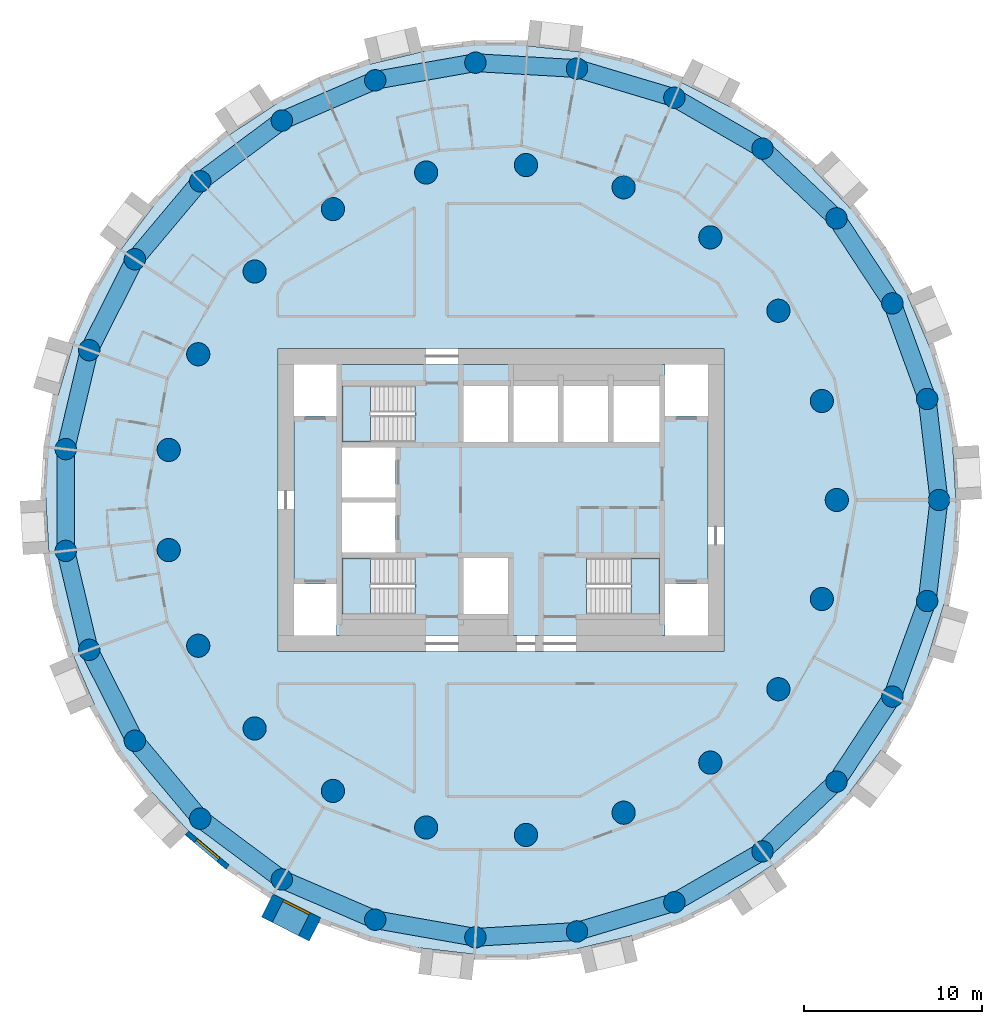
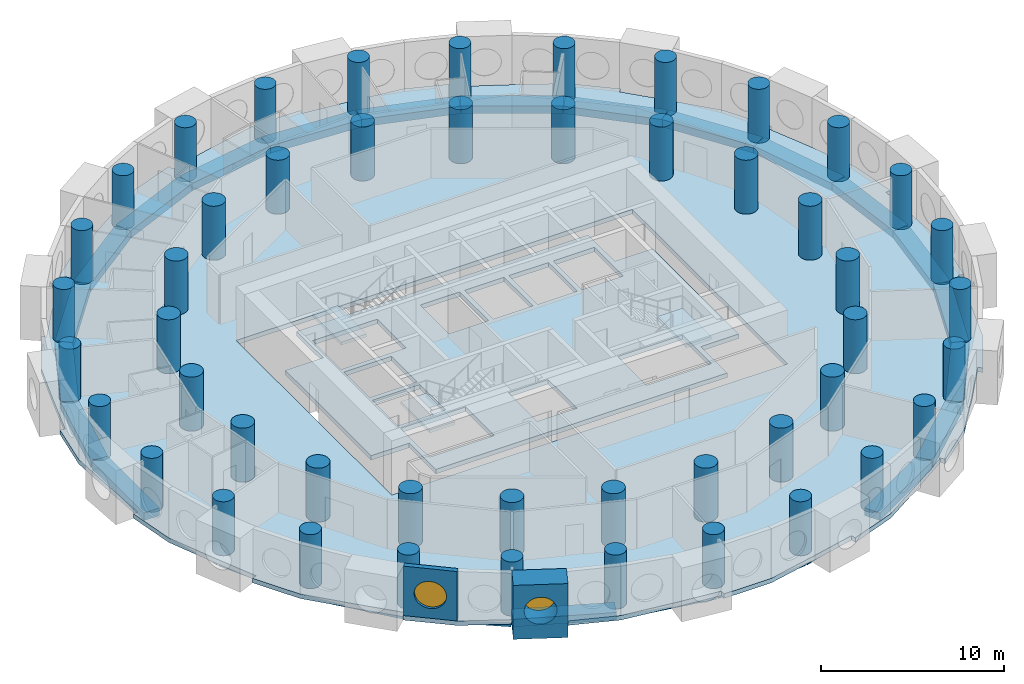
# One storey, part 1 of 10: 48 columns, 27 beams, 5 slabs, 2 walls, 2 windows, 2 openings, 3 elements without a shape of their own.
"""IFC4 building model written with IfcOpenShell, lengths in metres."""

from ifc_helpers import new_model, si_unit, direction, frame, frame_2d, origin, origin_2d, place, context, subcontext, project, spatial, polyline, rectangle, circle, outline, extrude, material, layer, layer_set, material_profile, profile_set, type_object, element, fill, aggregate, save


model = new_model("IFC4")

# Units and contexts
model_context = context("Model", 3, precision=1e-05, world=origin(), true_north=direction((0.0, 1.0)))
body_context = subcontext(model_context, "Body", "Model", "MODEL_VIEW")
ifc_project = project(units=[si_unit("LENGTHUNIT", "METRE"), si_unit("AREAUNIT", "SQUARE_METRE"), si_unit("VOLUMEUNIT", "CUBIC_METRE"), si_unit("PLANEANGLEUNIT", "RADIAN"), si_unit("MASSUNIT", "GRAM", prefix="KILO")], contexts=[model_context])

# Site, building, storey
site_placement = place(None, origin())
site = spatial("IfcSite", under=ifc_project, at=site_placement, CompositionType="ELEMENT")
building_placement = place(site_placement, origin())
building = spatial("IfcBuilding", under=site, at=building_placement, Name="Tracery Tower", CompositionType="ELEMENT")
storey_placement = place(building_placement, frame((0.0, 0.0, 144.0)))
storey = spatial("IfcBuildingStorey", under=building, at=storey_placement, Name="L36", CompositionType="ELEMENT", Elevation=144.0)

# Columns
ifc_material_1 = material(Name="Concrete C50/60", Category="concrete")
ifc_material_profile_1 = material_profile(ifc_material_1, circle(Radius=0.60009765625, at=origin_2d()), Name="RC D1200")
ifc_profile_set_1 = profile_set([ifc_material_profile_1], Name="Concrete C50/60")
column_type_1 = type_object("IfcColumnType", Name="Ring 1 column 1200", PredefinedType="COLUMN", material=ifc_profile_set_1)
for number, where, z_axis, x_axis, name in (
    (1, (24.547607421875, 0.0, 0.0), (0.0, 0.0, 1.0), (1.0, 0.0, 0.0), "Ring 1 column 00 at L36"),
    (2, (23.885986328125, 5.6611328125, 0.0), (0.0, 0.0, 1.0), (1.0, 0.0, 0.0), "Ring 1 column 01 at L36"),
    (3, (21.9365234375, 11.01708984375, 0.0), (0.0, 0.0, 1.0), (1.0, 0.0, 0.0), "Ring 1 column 02 at L36"),
    (4, (18.8046875, 15.779052734375, 0.0), (0.0, 0.0, 1.0), (1.0, 0.0, 0.0), "Ring 1 column 03 at L36"),
    (5, (14.658935546875, 19.690185546875, 0.0), (0.0, 0.0, 1.0), (1.0, 0.0, 0.0), "Ring 1 column 04 at L36"),
    (6, (9.722900390625, 22.5400390625, 0.0), (0.0, 0.0, 1.0), (1.0, 0.0, 0.0), "Ring 1 column 05 at L36"),
    (7, (4.2626953125, 24.1748046875, 0.0), (0.0, 0.0, 1.0), (1.0, 0.0, 0.0), "Ring 1 column 06 at L36"),
    (8, (-1.42724609375, 24.506103515625, 0.0), (0.0, 0.0, 1.0), (1.0, 0.0, 0.0), "Ring 1 column 07 at L36"),
    (9, (-7.040283203125, 23.516357421875, 0.0), (0.0, 0.0, 1.0), (1.0, 0.0, 0.0), "Ring 1 column 08 at L36"),
    (10, (-12.273681640625, 21.2587890625, 0.0), (0.0, 0.0, 1.0), (1.0, 0.0, 0.0), "Ring 1 column 09 at L36"),
    (11, (-16.845703125, 17.855224609375, 0.0), (0.0, 0.0, 1.0), (1.0, 0.0, 0.0), "Ring 1 column 10 at L36"),
    (12, (-20.50927734375, 13.4892578125, 0.0), (0.0, 0.0, 1.0), (1.0, 0.0, 0.0), "Ring 1 column 11 at L36"),
    (13, (-23.0673828125, 8.395751953125, 0.0), (0.0, 0.0, 1.0), (1.0, 0.0, 0.0), "Ring 1 column 12 at L36"),
    (14, (-24.381591796875, 2.849853515625, 0.0), (0.0, 0.0, 1.0), (1.0, 0.0, 0.0), "Ring 1 column 13 at L36"),
    (15, (-24.381591796875, -2.849853515625, 0.0), (0.0, 0.0, 1.0), (1.0, 0.0, 0.0), "Ring 1 column 14 at L36"),
    (16, (-23.0673828125, -8.395751953125, 0.0), (0.0, 0.0, 1.0), (1.0, 0.0, 0.0), "Ring 1 column 15 at L36"),
    (17, (-20.50927734375, -13.4892578125, 0.0), (0.0, 0.0, 1.0), (1.0, 0.0, 0.0), "Ring 1 column 16 at L36"),
    (18, (-16.845703125, -17.85546875, 0.0), (0.0, 0.0, 1.0), (1.0, 0.0, 0.0), "Ring 1 column 17 at L36"),
    (19, (-12.27392578125, -21.2587890625, 0.0), (0.0, 0.0, 1.0), (1.0, 0.0, 0.0), "Ring 1 column 18 at L36"),
    (20, (-7.040283203125, -23.516357421875, 0.0), (0.0, 0.0, 1.0), (1.0, 0.0, 0.0), "Ring 1 column 19 at L36"),
    (21, (-1.42724609375, -24.506103515625, 0.0), (0.0, 0.0, 1.0), (1.0, 0.0, 0.0), "Ring 1 column 20 at L36"),
    (22, (4.2626953125, -24.1748046875, 0.0), (0.0, 0.0, 1.0), (1.0, 0.0, 0.0), "Ring 1 column 21 at L36"),
    (23, (9.722900390625, -22.5400390625, 0.0), (0.0, 0.0, 1.0), (1.0, 0.0, 0.0), "Ring 1 column 22 at L36"),
    (24, (14.658935546875, -19.690185546875, 0.0), (0.0, 0.0, 1.0), (1.0, 0.0, 0.0), "Ring 1 column 23 at L36"),
    (25, (18.8046875, -15.779052734375, 0.0), (0.0, 0.0, 1.0), (1.0, 0.0, 0.0), "Ring 1 column 24 at L36"),
    (26, (21.9365234375, -11.01708984375, 0.0), (0.0, 0.0, 1.0), (1.0, 0.0, 0.0), "Ring 1 column 25 at L36"),
    (27, (23.885986328125, -5.6611328125, 0.0), (0.0, 0.0, 1.0), (1.0, 0.0, 0.0), "Ring 1 column 26 at L36"),
):
    element("IfcColumn", number, at=place(storey_placement, frame(where, z_axis=z_axis, x_axis=x_axis)), inside=storey, type_object=column_type_1, Name=name, PredefinedType="COLUMN", context=body_context, shape_type="SweptSolid", body=[
        extrude(circle(Radius=0.60009765625, at=origin_2d()), origin(), (0.0, 0.0, 1.0), 3.60009765625),
    ])
ifc_material_2 = material(Name="Concrete C50/60", Category="concrete")
ifc_material_profile_2 = material_profile(ifc_material_2, circle(Radius=0.64990234375, at=origin_2d()), Name="RC D1300")
ifc_profile_set_2 = profile_set([ifc_material_profile_2], Name="Concrete C50/60")
column_type_2 = type_object("IfcColumnType", Name="Ring 2 column 1300", PredefinedType="COLUMN", material=ifc_profile_set_2)
for number, where, z_axis, x_axis, name in (
    (28, (18.822265625, 0.0, 0.0), (0.0, 0.0, 1.0), (1.0, 0.0, 0.0), "Ring 2 column 00 at L36"),
    (29, (17.986083984375, 5.5478515625, 0.0), (0.0, 0.0, 1.0), (1.0, 0.0, 0.0), "Ring 2 column 01 at L36"),
    (30, (15.551513671875, 10.602783203125, 0.0), (0.0, 0.0, 1.0), (1.0, 0.0, 0.0), "Ring 2 column 02 at L36"),
    (31, (11.7353515625, 14.7158203125, 0.0), (0.0, 0.0, 1.0), (1.0, 0.0, 0.0), "Ring 2 column 03 at L36"),
    (32, (6.87646484375, 17.52099609375, 0.0), (0.0, 0.0, 1.0), (1.0, 0.0, 0.0), "Ring 2 column 04 at L36"),
    (33, (1.406494140625, 18.76953125, 0.0), (0.0, 0.0, 1.0), (1.0, 0.0, 0.0), "Ring 2 column 05 at L36"),
    (34, (-4.188232421875, 18.350341796875, 0.0), (0.0, 0.0, 1.0), (1.0, 0.0, 0.0), "Ring 2 column 06 at L36"),
    (35, (-9.4111328125, 16.300537109375, 0.0), (0.0, 0.0, 1.0), (1.0, 0.0, 0.0), "Ring 2 column 07 at L36"),
    (36, (-13.797607421875, 12.802490234375, 0.0), (0.0, 0.0, 1.0), (1.0, 0.0, 0.0), "Ring 2 column 08 at L36"),
    (37, (-16.958251953125, 8.16650390625, 0.0), (0.0, 0.0, 1.0), (1.0, 0.0, 0.0), "Ring 2 column 09 at L36"),
    (38, (-18.612060546875, 2.805419921875, 0.0), (0.0, 0.0, 1.0), (1.0, 0.0, 0.0), "Ring 2 column 10 at L36"),
    (39, (-18.612060546875, -2.805419921875, 0.0), (0.0, 0.0, 1.0), (1.0, 0.0, 0.0), "Ring 2 column 11 at L36"),
    (40, (-16.958251953125, -8.166748046875, 0.0), (0.0, 0.0, 1.0), (1.0, 0.0, 0.0), "Ring 2 column 12 at L36"),
    (41, (-13.797607421875, -12.80224609375, 0.0), (0.0, 0.0, 1.0), (1.0, 0.0, 0.0), "Ring 2 column 13 at L36"),
    (42, (-9.4111328125, -16.300537109375, 0.0), (0.0, 0.0, 1.0), (1.0, 0.0, 0.0), "Ring 2 column 14 at L36"),
    (43, (-4.188232421875, -18.350341796875, 0.0), (0.0, 0.0, 1.0), (1.0, 0.0, 0.0), "Ring 2 column 15 at L36"),
    (44, (1.406494140625, -18.76953125, 0.0), (0.0, 0.0, 1.0), (1.0, 0.0, 0.0), "Ring 2 column 16 at L36"),
    (45, (6.87646484375, -17.52099609375, 0.0), (0.0, 0.0, 1.0), (1.0, 0.0, 0.0), "Ring 2 column 17 at L36"),
    (46, (11.7353515625, -14.7158203125, 0.0), (0.0, 0.0, 1.0), (1.0, 0.0, 0.0), "Ring 2 column 18 at L36"),
    (47, (15.551513671875, -10.602783203125, 0.0), (0.0, 0.0, 1.0), (1.0, 0.0, 0.0), "Ring 2 column 19 at L36"),
    (48, (17.986083984375, -5.5478515625, 0.0), (0.0, 0.0, 1.0), (1.0, 0.0, 0.0), "Ring 2 column 20 at L36"),
):
    element("IfcColumn", number, at=place(storey_placement, frame(where, z_axis=z_axis, x_axis=x_axis)), inside=storey, type_object=column_type_2, Name=name, PredefinedType="COLUMN", context=body_context, shape_type="SweptSolid", body=[
        extrude(circle(Radius=0.64990234375, at=origin_2d()), origin(), (0.0, 0.0, 1.0), 3.60009765625),
    ])

# Beams
ifc_material_3 = material(Name="Concrete C50/60", Category="concrete")
ifc_material_profile_3 = material_profile(ifc_material_3, rectangle(XDim=1.0, YDim=0.5, at=origin_2d()), Name="RC 1000x500")
ifc_profile_set_3 = profile_set([ifc_material_profile_3], Name="Concrete C50/60")
beam_type = type_object("IfcBeamType", Name="Perimeter band beam 1000x500", PredefinedType="BEAM", material=ifc_profile_set_3)
for number, where, z_axis, x_axis, name in (
    (49, (24.547607421875, 0.0, -0.550048828125), (-0.116080723252, 0.993239782575, 0.0), (-0.993239782575, -0.116080723252, 0.0), "Perimeter beam 1.00 under L36"),
    (50, (23.885986328125, 5.6611328125, -0.550048828125), (-0.342028502279, 0.939689578334, 0.0), (-0.939689578334, -0.342028502279, 0.0), "Perimeter beam 1.01 under L36"),
):
    element("IfcBeam", number, at=place(storey_placement, frame(where, z_axis=z_axis, x_axis=x_axis)), inside=storey, type_object=beam_type, Name=name, PredefinedType="BEAM", context=body_context, shape_type="SweptSolid", body=[
        extrude(rectangle(XDim=1.0, YDim=0.5, at=origin_2d()), origin(), (0.0, 0.0, 1.0), 5.69970703125),
    ])
for number, where, z_axis, x_axis, name in (
    (51, (21.9365234375, 11.01708984375, -0.550048828125), (-0.549489832182, 0.835500403548, 0.0), (-0.835500403548, -0.549489832182, 0.0), "Perimeter beam 1.02 under L36"),
    (52, (18.8046875, 15.779052734375, -0.550048828125), (-0.727389618263, 0.686224703172, 0.0), (-0.686224703172, -0.727389618263, 0.0), "Perimeter beam 1.03 under L36"),
):
    element("IfcBeam", number, at=place(storey_placement, frame(where, z_axis=z_axis, x_axis=x_axis)), inside=storey, type_object=beam_type, Name=name, PredefinedType="BEAM", context=body_context, shape_type="SweptSolid", body=[
        extrude(rectangle(XDim=1.0, YDim=0.5, at=origin_2d()), origin(), (0.0, 0.0, 1.0), 5.699462890625),
    ])
for number, where, z_axis, x_axis, name in (
    (53, (14.658935546875, 19.690185546875, -0.550048828125), (-0.866022950691, 0.500004248858, 0.0), (-0.500004248858, -0.866022950691, 0.0), "Perimeter beam 1.04 under L36"),
    (54, (9.722900390625, 22.5400390625, -0.550048828125), (-0.957985292634, 0.28681732705, 0.0), (-0.28681732705, -0.957985292634, 0.0), "Perimeter beam 1.05 under L36"),
):
    element("IfcBeam", number, at=place(storey_placement, frame(where, z_axis=z_axis, x_axis=x_axis)), inside=storey, type_object=beam_type, Name=name, PredefinedType="BEAM", context=body_context, shape_type="SweptSolid", body=[
        extrude(rectangle(XDim=1.0, YDim=0.5, at=origin_2d()), origin(), (0.0, 0.0, 1.0), 5.69970703125),
    ])
beam_1_placement = place(storey_placement, frame((4.2626953125, 24.1748046875, -0.550048828125), z_axis=(-0.99830920221, 0.058126902403, 0.0), x_axis=(-0.058126902403, -0.99830920221, 0.0)))
element("IfcBeam", 55, at=beam_1_placement, inside=storey, type_object=beam_type, Name="Perimeter beam 1.06 under L36", PredefinedType="BEAM", context=body_context, shape_type="SweptSolid", body=[
    extrude(rectangle(XDim=1.0, YDim=0.5, at=origin_2d()), origin(), (0.0, 0.0, 1.0), 5.699462890625),
])
beam_2_placement = place(storey_placement, frame((-1.42724609375, 24.506103515625, -0.550048828125), z_axis=(-0.984807266719, -0.173650935552, 0.0), x_axis=(0.173650935552, -0.984807266719, 0.0)))
element("IfcBeam", 56, at=beam_2_placement, inside=storey, type_object=beam_type, Name="Perimeter beam 1.07 under L36", PredefinedType="BEAM", context=body_context, shape_type="SweptSolid", body=[
    extrude(rectangle(XDim=1.0, YDim=0.5, at=origin_2d()), origin(), (0.0, 0.0, 1.0), 5.69970703125),
])
beam_3_placement = place(storey_placement, frame((-7.040283203125, 23.516357421875, -0.550048828125), z_axis=(-0.918209685525, -0.396094652083, 0.0), x_axis=(0.396094652083, -0.918209685525, 0.0)))
element("IfcBeam", 57, at=beam_3_placement, inside=storey, type_object=beam_type, Name="Perimeter beam 1.08 under L36", PredefinedType="BEAM", context=body_context, shape_type="SweptSolid", body=[
    extrude(rectangle(XDim=1.0, YDim=0.5, at=origin_2d()), origin(), (0.0, 0.0, 1.0), 5.699462890625),
])
beam_4_placement = place(storey_placement, frame((-12.273681640625, 21.2587890625, -0.550048828125), z_axis=(-0.802138271299, -0.59713833717, 0.0), x_axis=(0.59713833717, -0.802138271299, 0.0)))
element("IfcBeam", 58, at=beam_4_placement, inside=storey, type_object=beam_type, Name="Perimeter beam 1.09 under L36", PredefinedType="BEAM", context=body_context, shape_type="SweptSolid", body=[
    extrude(rectangle(XDim=1.0, YDim=0.5, at=origin_2d()), origin(), (0.0, 0.0, 1.0), 5.69970703125),
])
beam_5_placement = place(storey_placement, frame((-16.845703125, 17.855224609375, -0.550048828125), z_axis=(-0.642797194343, -0.766036400535, 0.0), x_axis=(0.766036400535, -0.642797194343, 0.0)))
element("IfcBeam", 59, at=beam_5_placement, inside=storey, type_object=beam_type, Name="Perimeter beam 1.10 under L36", PredefinedType="BEAM", context=body_context, shape_type="SweptSolid", body=[
    extrude(rectangle(XDim=1.0, YDim=0.5, at=origin_2d()), origin(), (0.0, 0.0, 1.0), 5.699462890625),
])
beam_6_placement = place(storey_placement, frame((-20.50927734375, 13.4892578125, -0.550048828125), z_axis=(-0.448806280933, -0.893629074166, 0.0), x_axis=(0.893629074166, -0.448806280933, 0.0)))
element("IfcBeam", 60, at=beam_6_placement, inside=storey, type_object=beam_type, Name="Perimeter beam 1.11 under L36", PredefinedType="BEAM", context=body_context, shape_type="SweptSolid", body=[
    extrude(rectangle(XDim=1.0, YDim=0.5, at=origin_2d()), origin(), (0.0, 0.0, 1.0), 5.69970703125),
])
beam_7_placement = place(storey_placement, frame((-23.0673828125, 8.395751953125, -0.550048828125), z_axis=(-0.230583793756, -0.973052472407, 0.0), x_axis=(0.973052472407, -0.230583793756, 0.0)))
element("IfcBeam", 61, at=beam_7_placement, inside=storey, type_object=beam_type, Name="Perimeter beam 1.12 under L36", PredefinedType="BEAM", context=body_context, shape_type="SweptSolid", body=[
    extrude(rectangle(XDim=1.0, YDim=0.5, at=origin_2d()), origin(), (0.0, 0.0, 1.0), 5.699462890625),
])
beam_8_placement = place(storey_placement, frame((-24.381591796875, 2.849853515625, -0.550048828125), z_axis=(0.0, -1.0, 0.0), x_axis=(1.0, 0.0, 0.0)))
element("IfcBeam", 62, at=beam_8_placement, inside=storey, type_object=beam_type, Name="Perimeter beam 1.13 under L36", PredefinedType="BEAM", context=body_context, shape_type="SweptSolid", body=[
    extrude(rectangle(XDim=1.0, YDim=0.5, at=origin_2d()), origin(), (0.0, 0.0, 1.0), 5.69970703125),
])
beam_9_placement = place(storey_placement, frame((-24.381591796875, -2.849853515625, -0.550048828125), z_axis=(0.230583793756, -0.973052472407, 0.0), x_axis=(0.973052472407, 0.230583793756, 0.0)))
element("IfcBeam", 63, at=beam_9_placement, inside=storey, type_object=beam_type, Name="Perimeter beam 1.14 under L36", PredefinedType="BEAM", context=body_context, shape_type="SweptSolid", body=[
    extrude(rectangle(XDim=1.0, YDim=0.5, at=origin_2d()), origin(), (0.0, 0.0, 1.0), 5.699462890625),
])
for number, where, z_axis, x_axis, name in (
    (64, (-23.0673828125, -8.395751953125, -0.550048828125), (0.448806280933, -0.893629074166, 0.0), (0.893629074166, 0.448806280933, 0.0), "Perimeter beam 1.15 under L36"),
    (65, (-20.50927734375, -13.4892578125, -0.550048828125), (0.64277610208, -0.766054099, 0.0), (0.766054099, 0.64277610208, 0.0), "Perimeter beam 1.16 under L36"),
):
    element("IfcBeam", number, at=place(storey_placement, frame(where, z_axis=z_axis, x_axis=x_axis)), inside=storey, type_object=beam_type, Name=name, PredefinedType="BEAM", context=body_context, shape_type="SweptSolid", body=[
        extrude(rectangle(XDim=1.0, YDim=0.5, at=origin_2d()), origin(), (0.0, 0.0, 1.0), 5.69970703125),
    ])
beam_10_placement = place(storey_placement, frame((-16.845703125, -17.85546875, -0.550048828125), z_axis=(0.802143514942, -0.597131293298, 0.0), x_axis=(0.597131293298, 0.802143514942, 0.0)))
element("IfcBeam", 66, at=beam_10_placement, inside=storey, type_object=beam_type, Name="Perimeter beam 1.17 under L36", PredefinedType="BEAM", context=body_context, shape_type="SweptSolid", body=[
    extrude(rectangle(XDim=1.0, YDim=0.5, at=origin_2d()), origin(), (0.0, 0.0, 1.0), 5.699462890625),
])
for number, where, z_axis, x_axis, name in (
    (67, (-12.27392578125, -21.2587890625, -0.550048828125), (0.918216405543, -0.39607907366, 0.0), (0.39607907366, 0.918216405543, 0.0), "Perimeter beam 1.18 under L36"),
    (68, (-7.040283203125, -23.516357421875, -0.550048828125), (0.984807266719, -0.173650935552, 0.0), (0.173650935552, 0.984807266719, 0.0), "Perimeter beam 1.19 under L36"),
):
    element("IfcBeam", number, at=place(storey_placement, frame(where, z_axis=z_axis, x_axis=x_axis)), inside=storey, type_object=beam_type, Name=name, PredefinedType="BEAM", context=body_context, shape_type="SweptSolid", body=[
        extrude(rectangle(XDim=1.0, YDim=0.5, at=origin_2d()), origin(), (0.0, 0.0, 1.0), 5.69970703125),
    ])
beam_11_placement = place(storey_placement, frame((-1.42724609375, -24.506103515625, -0.550048828125), z_axis=(0.99830920221, 0.058126902403, 0.0), x_axis=(-0.058126902403, 0.99830920221, 0.0)))
element("IfcBeam", 69, at=beam_11_placement, inside=storey, type_object=beam_type, Name="Perimeter beam 1.20 under L36", PredefinedType="BEAM", context=body_context, shape_type="SweptSolid", body=[
    extrude(rectangle(XDim=1.0, YDim=0.5, at=origin_2d()), origin(), (0.0, 0.0, 1.0), 5.699462890625),
])
for number, where, z_axis, x_axis, name in (
    (70, (4.2626953125, -24.1748046875, -0.550048828125), (0.957985292634, 0.28681732705, 0.0), (-0.28681732705, 0.957985292634, 0.0), "Perimeter beam 1.21 under L36"),
    (71, (9.722900390625, -22.5400390625, -0.550048828125), (0.866022950691, 0.500004248858, 0.0), (-0.500004248858, 0.866022950691, 0.0), "Perimeter beam 1.22 under L36"),
):
    element("IfcBeam", number, at=place(storey_placement, frame(where, z_axis=z_axis, x_axis=x_axis)), inside=storey, type_object=beam_type, Name=name, PredefinedType="BEAM", context=body_context, shape_type="SweptSolid", body=[
        extrude(rectangle(XDim=1.0, YDim=0.5, at=origin_2d()), origin(), (0.0, 0.0, 1.0), 5.69970703125),
    ])
for number, where, z_axis, x_axis, name in (
    (72, (14.658935546875, -19.690185546875, -0.550048828125), (0.727389618263, 0.686224703172, 0.0), (-0.686224703172, 0.727389618263, 0.0), "Perimeter beam 1.23 under L36"),
    (73, (18.8046875, -15.779052734375, -0.550048828125), (0.549489832182, 0.835500403548, 0.0), (-0.835500403548, 0.549489832182, 0.0), "Perimeter beam 1.24 under L36"),
):
    element("IfcBeam", number, at=place(storey_placement, frame(where, z_axis=z_axis, x_axis=x_axis)), inside=storey, type_object=beam_type, Name=name, PredefinedType="BEAM", context=body_context, shape_type="SweptSolid", body=[
        extrude(rectangle(XDim=1.0, YDim=0.5, at=origin_2d()), origin(), (0.0, 0.0, 1.0), 5.699462890625),
    ])
for number, where, z_axis, x_axis, name in (
    (74, (21.9365234375, -11.01708984375, -0.550048828125), (0.342028502279, 0.939689578334, 0.0), (-0.939689578334, 0.342028502279, 0.0), "Perimeter beam 1.25 under L36"),
    (75, (23.885986328125, -5.6611328125, -0.550048828125), (0.116080723252, 0.993239782575, 0.0), (-0.993239782575, 0.116080723252, 0.0), "Perimeter beam 1.26 under L36"),
):
    element("IfcBeam", number, at=place(storey_placement, frame(where, z_axis=z_axis, x_axis=x_axis)), inside=storey, type_object=beam_type, Name=name, PredefinedType="BEAM", context=body_context, shape_type="SweptSolid", body=[
        extrude(rectangle(XDim=1.0, YDim=0.5, at=origin_2d()), origin(), (0.0, 0.0, 1.0), 5.69970703125),
    ])

# Slabs
ifc_material_4 = material(Name="Concrete C50/60", Category="concrete")
ifc_layer_1 = layer(ifc_material_4, 0.300048828125)
ifc_layer_set_1 = layer_set([ifc_layer_1], Name="Core floor slab 300 C50")
slab_type_1 = type_object("IfcSlabType", Name="Core floor slab 300 C50", PredefinedType="FLOOR", material=ifc_layer_set_1)
slab_1_placement = place(storey_placement, frame((0.0, 0.0, -0.300048828125)))
element("IfcSlab", 76, at=slab_1_placement, inside=storey, type_object=slab_type_1, Name="L36 core floor 1", PredefinedType="FLOOR", context=body_context, shape_type="SweptSolid", body=[
    extrude(outline(polyline([(-9.199951171875, 7.60009765625), (9.199951171875, 7.60009765625), (9.199951171875, 4.699951171875), (11.60009765625, 4.699951171875), (11.60009765625, -4.699951171875), (9.199951171875, -4.699951171875), (9.199951171875, -7.60009765625), (-9.199951171875, -7.60009765625), (-9.199951171875, -4.699951171875), (-11.60009765625, -4.699951171875), (-11.60009765625, 4.699951171875), (-9.199951171875, 4.699951171875), (-9.199951171875, 7.60009765625)]), holes=[polyline([(4.800537109375, -6.39990234375), (8.89990234375, -6.39990234375), (8.89990234375, -3.25), (4.800537109375, -3.25), (4.800537109375, -6.39990234375)]), polyline([(8.89990234375, 3.25), (8.89990234375, 6.39990234375), (6.300048828125, 6.39990234375), (6.300048828125, 3.25), (8.89990234375, 3.25)]), polyline([(6.0, 3.25), (6.0, 6.39990234375), (3.5, 6.39990234375), (3.5, 3.25), (6.0, 3.25)]), polyline([(3.199951171875, 3.25), (3.199951171875, 6.39990234375), (0.699951171875, 6.39990234375), (0.699951171875, 3.25), (3.199951171875, 3.25)]), polyline([(-2.10009765625, 3.25), (0.39990234375, 3.25), (0.39990234375, 6.39990234375), (-2.10009765625, 6.39990234375), (-2.10009765625, 3.25)]), polyline([(0.39990234375, -6.39990234375), (0.39990234375, -3.25), (-2.10009765625, -3.25), (-2.10009765625, -6.39990234375), (0.39990234375, -6.39990234375)]), polyline([(-4.800537109375, -3.25), (-8.89990234375, -3.25), (-8.89990234375, -6.39990234375), (-4.800537109375, -6.39990234375), (-4.800537109375, -3.25)]), polyline([(-4.800537109375, 6.39990234375), (-8.89990234375, 6.39990234375), (-8.89990234375, 3.25), (-4.800537109375, 3.25), (-4.800537109375, 6.39990234375)]), polyline([(-5.89990234375, -2.949951171875), (-5.89990234375, -0.14990234375), (-8.89990234375, -0.14990234375), (-8.89990234375, -2.949951171875), (-5.89990234375, -2.949951171875)]), polyline([(-5.89990234375, 0.14990234375), (-5.89990234375, 2.949951171875), (-8.89990234375, 2.949951171875), (-8.89990234375, 0.14990234375), (-5.89990234375, 0.14990234375)])]), origin(), (0.0, 0.0, 1.0), 0.300048828125),
])
ifc_material_5 = material(Name="Concrete C40/50", Category="concrete")
ifc_layer_2 = layer(ifc_material_5, 0.300048828125)
ifc_layer_set_2 = layer_set([ifc_layer_2], Name="Floor slab 300")
slab_type_2 = type_object("IfcSlabType", Name="Floor slab 300", PredefinedType="FLOOR", material=ifc_layer_set_2)
slab_2_placement = place(storey_placement, frame((0.0, 0.0, -0.300048828125)))
element("IfcSlab", 77, at=slab_2_placement, inside=storey, type_object=slab_type_2, Name="Floor slab L36", PredefinedType="FLOOR", context=body_context, shape_type="SweptSolid", body=[
    extrude(outline(polyline([(22.78515625, 11.443115234375), (22.7783203125, 11.459228515625), (23.0537109375, 11.577880859375), (21.5537109375, 14.176025390625), (19.533203125, 16.387939453125), (18.208740234375, 17.791748046875), (17.497314453125, 18.5458984375), (17.497314453125, 18.5458984375), (17.485107421875, 18.55859375), (17.70361328125, 18.7646484375), (15.4052734375, 20.69287109375), (12.74853515625, 22.081298828125), (10.098876953125, 23.411865234375), (10.098876953125, 23.411865234375), (10.083251953125, 23.419921875), (10.217529296875, 23.68701171875), (10.218017578125, 23.68798828125), (7.39892578125, 24.7138671875), (4.427490234375, 25.10986328125), (3.055908203125, 25.27001953125), (1.465087890625, 25.4560546875), (1.5, 25.75390625), (1.5, 25.754150390625), (-1.5, 25.754150390625), (-4.427490234375, 25.10986328125), (-7.312744140625, 24.426025390625), (-7.312744140625, 24.426025390625), (-7.32958984375, 24.422119140625), (-7.398681640625, 24.713134765625), (-7.39892578125, 24.7138671875), (-10.218017578125, 23.68798828125), (-12.74853515625, 22.081298828125), (-13.4443359375, 21.623779296875), (-15.240478515625, 20.4423828125), (-15.4052734375, 20.69287109375), (-15.4052734375, 20.69287109375), (-17.70361328125, 18.7646484375), (-19.531005859375, 16.390625), (-20.657958984375, 14.876953125), (-21.302490234375, 14.010986328125), (-21.302490234375, 14.010986328125), (-21.31298828125, 13.996826171875), (-21.5537109375, 14.176025390625), (-23.0537109375, 11.577880859375), (-23.95947265625, 8.720703125), (-24.694580078125, 6.265380859375), (-24.81494140625, 5.86328125), (-25.102294921875, 5.949462890625), (-25.623291015625, 2.994873046875), (-25.497314453125, 0.00048828125), (-25.32373046875, -2.9775390625), (-25.623291015625, -2.994873046875), (-25.102294921875, -5.949462890625), (-23.95947265625, -8.720703125), (-22.78515625, -11.443115234375), (-22.78515625, -11.443115234375), (-22.7783203125, -11.459228515625), (-23.0537109375, -11.577880859375), (-21.5537109375, -14.176025390625), (-19.533203125, -16.387939453125), (-18.208740234375, -17.791748046875), (-17.497314453125, -18.5458984375), (-17.497314453125, -18.5458984375), (-17.485107421875, -18.55859375), (-17.70361328125, -18.7646484375), (-15.4052734375, -20.69287109375), (-12.74853515625, -22.081298828125), (-10.098876953125, -23.411865234375), (-10.098876953125, -23.411865234375), (-10.083251953125, -23.419921875), (-10.217529296875, -23.68701171875), (-10.218017578125, -23.68798828125), (-7.39892578125, -24.7138671875), (-4.427490234375, -25.10986328125), (-3.055908203125, -25.27001953125), (-1.465087890625, -25.4560546875), (-1.5, -25.75390625), (-1.5, -25.754150390625), (1.5, -25.754150390625), (4.427490234375, -25.10986328125), (7.312744140625, -24.426025390625), (7.312744140625, -24.426025390625), (7.32958984375, -24.422119140625), (7.398681640625, -24.713134765625), (7.39892578125, -24.7138671875), (10.218017578125, -23.68798828125), (12.74853515625, -22.081298828125), (13.4443359375, -21.623779296875), (15.240478515625, -20.4423828125), (15.4052734375, -20.69287109375), (15.4052734375, -20.69287109375), (17.70361328125, -18.7646484375), (19.531005859375, -16.390625), (20.657958984375, -14.876953125), (21.302490234375, -14.010986328125), (21.302490234375, -14.010986328125), (21.31298828125, -13.996826171875), (21.5537109375, -14.176025390625), (23.0537109375, -11.577880859375), (23.95947265625, -8.720703125), (24.694580078125, -6.265380859375), (24.81494140625, -5.86328125), (25.102294921875, -5.949462890625), (25.623291015625, -2.994873046875), (25.497314453125, -0.00048828125), (25.32373046875, 2.9775390625), (25.623291015625, 2.994873046875), (25.102294921875, 5.949462890625), (23.95947265625, 8.720703125), (22.78515625, 11.443115234375), (22.78515625, 11.443115234375)]), holes=[polyline([(-12.5, -8.5), (12.5, -8.5), (12.5, 8.5), (-12.5, 8.5), (-12.5, -8.5)])]), origin(), (0.0, 0.0, 1.0), 0.300048828125),
])

# Stair, slab
ifc_material_6 = material(Name="Concrete C32/40", Category="concrete")
stair_type = type_object("IfcStairType", Name="Core stair 22 risers", PredefinedType="HALF_TURN_STAIR", material=ifc_material_6)
stair_1_placement = place(storey_placement, origin())
stair_1 = element("IfcStair", 78, at=stair_1_placement, inside=storey, type_object=stair_type, Name="L36 stair ST1", PredefinedType="HALF_TURN_STAIR")
ifc_material_7 = material(Name="Concrete C32/40", Category="concrete")
ifc_layer_3 = layer(ifc_material_7, 0.199951171875)
ifc_layer_set_3 = layer_set([ifc_layer_3], Name="Stair landing slab 200")
slab_type_3 = type_object("IfcSlabType", Name="Stair landing slab 200", PredefinedType="LANDING", material=ifc_layer_set_3)
slab_3_placement = place(storey_placement, frame((0.0, 0.0, 1.60009765625)))
slab_3 = element("IfcSlab", 79, at=slab_3_placement, type_object=slab_type_3, Name="ST1 landing 1", PredefinedType="LANDING", context=body_context, shape_type="SweptSolid", body=[
    extrude(outline(polyline([(-7.29931640625, -3.25), (-8.89990234375, -3.25), (-8.89990234375, -6.39990234375), (-7.29931640625, -6.39990234375), (-7.29931640625, -3.25)])), origin(), (0.0, 0.0, 1.0), 0.199951171875),
])
aggregate(stair_1, [slab_3])

stair_2_placement = place(storey_placement, origin())
stair_2 = element("IfcStair", 80, at=stair_2_placement, inside=storey, type_object=stair_type, Name="L36 stair ST3", PredefinedType="HALF_TURN_STAIR")
slab_4_placement = place(storey_placement, frame((0.0, 0.0, 1.60009765625)))
slab_4 = element("IfcSlab", 81, at=slab_4_placement, type_object=slab_type_3, Name="ST3 landing 1", PredefinedType="LANDING", context=body_context, shape_type="SweptSolid", body=[
    extrude(outline(polyline([(-7.29931640625, 6.39990234375), (-8.89990234375, 6.39990234375), (-8.89990234375, 3.25), (-7.29931640625, 3.25), (-7.29931640625, 6.39990234375)])), origin(), (0.0, 0.0, 1.0), 0.199951171875),
])
aggregate(stair_2, [slab_4])

stair_3_placement = place(storey_placement, origin())
stair_3 = element("IfcStair", 82, at=stair_3_placement, inside=storey, type_object=stair_type, Name="L36 stair ST2", PredefinedType="HALF_TURN_STAIR")
slab_5_placement = place(storey_placement, frame((0.0, 0.0, 1.60009765625)))
slab_5 = element("IfcSlab", 83, at=slab_5_placement, type_object=slab_type_3, Name="ST2 landing 1", PredefinedType="LANDING", context=body_context, shape_type="SweptSolid", body=[
    extrude(outline(polyline([(7.29931640625, -6.39990234375), (8.89990234375, -6.39990234375), (8.89990234375, -3.25), (7.29931640625, -3.25), (7.29931640625, -6.39990234375)])), origin(), (0.0, 0.0, 1.0), 0.199951171875),
])
aggregate(stair_3, [slab_5])

# Wall, opening, window
ifc_material_8 = material(Name="Precast concrete C50/60", Category="concrete")
ifc_layer_4 = layer(ifc_material_8, 1.449951171875)
ifc_layer_set_4 = layer_set([ifc_layer_4], Name="Deep-set bay unit 3000 x 3600, slab edge 300")
wall_type_1 = type_object("IfcWallType", Name="Deep-set bay unit 3000 x 3600, slab edge 300", PredefinedType="ELEMENTEDWALL", material=ifc_layer_set_4)
wall_1_placement = place(storey_placement, frame((-13.089599609375, -22.72119140625, -0.300048828125), z_axis=(0.0, 0.0, 1.0), x_axis=(0.893628249713, -0.448807922518, 0.0)))
wall_1 = element("IfcWall", 84, at=wall_1_placement, inside=storey, type_object=wall_type_1, Name="Deep-set bay unit 37 at L36", PredefinedType="ELEMENTEDWALL", context=body_context, shape_type="SweptSolid", body=[
    extrude(rectangle(XDim=3.0, YDim=1.449951171875, at=frame_2d((1.5, 0.0))), origin(), (0.0, 0.0, 1.0), 3.60009765625),
])
opening_1_placement = place(wall_1_placement, frame((1.5, 0.0, 1.85009765625)))
opening_1 = element("IfcOpeningElement", 85, at=opening_1_placement, cuts=wall_1, Name="Opening WN1", PredefinedType="OPENING", context=body_context, shape_type="SweptSolid", body=[
    extrude(circle(Radius=0.9000244140625, at=origin_2d()), frame((0.0, 0.73486328125, 0.0), z_axis=(0.0, -1.0, 0.0), x_axis=(1.0, 0.0, 0.0)), (0.0, 0.0, 1.0), 1.469970703125),
])
ifc_material_9 = material(Name="Aluminium frame with tinted double glazing", Category="aluminium")
window_type = type_object("IfcWindowType", Name="Round window 1800", PartitioningType="SINGLE_PANEL", PredefinedType="WINDOW", material=ifc_material_9)
window_1_placement = place(opening_1_placement, origin())
window_1 = element("IfcWindow", 86, at=window_1_placement, inside=storey, type_object=window_type, Name="Round window 37 at L36", OverallHeight=1.800048828125, OverallWidth=1.800048828125, PartitioningType="SINGLE_PANEL", PredefinedType="WINDOW", context=body_context, shape_type="SweptSolid", body=[
    extrude(circle(Radius=0.9000244140625, at=origin_2d()), frame((0.0, 0.69482421875, 0.0), z_axis=(0.0, -1.0, 0.0), x_axis=(1.0, 0.0, 0.0)), (0.0, 0.0, 1.0), 0.10009765625),
])
fill(opening_1, window_1)

ifc_material_10 = material(Name="Precast concrete C50/60", Category="concrete")
ifc_layer_5 = layer(ifc_material_10, 0.300048828125)
ifc_layer_set_5 = layer_set([ifc_layer_5], Name="Facade panel 3000 x 3300")
wall_type_2 = type_object("IfcWallType", Name="Facade panel 3000 x 3300", PredefinedType="SOLIDWALL", material=ifc_layer_set_5)
wall_2_placement = place(storey_placement, frame((-17.593017578125, -18.661376953125, 0.0), z_axis=(0.0, 0.0, 1.0), x_axis=(0.766008913364, -0.642829950023, 0.0)))
wall_2 = element("IfcWall", 87, at=wall_2_placement, inside=storey, type_object=wall_type_2, Name="Facade panel 35 at L36", PredefinedType="SOLIDWALL", context=body_context, shape_type="SweptSolid", body=[
    extrude(rectangle(XDim=2.972900390625, YDim=0.300048828125, at=frame_2d((1.486328125, 0.0))), origin(), (0.0, 0.0, 1.0), 3.300048828125),
])
opening_2_placement = place(wall_2_placement, frame((1.486328125, 0.0, 1.5498046875)))
opening_2 = element("IfcOpeningElement", 88, at=opening_2_placement, cuts=wall_2, Name="Opening WN1", PredefinedType="OPENING", context=body_context, shape_type="SweptSolid", body=[
    extrude(circle(Radius=0.9000244140625, at=origin_2d()), frame((0.0, 0.159912109375, 0.0), z_axis=(0.0, -1.0, 0.0), x_axis=(1.0, 0.0, 0.0)), (0.0, 0.0, 1.0), 0.320068359375),
])
window_2_placement = place(opening_2_placement, origin())
window_2 = element("IfcWindow", 89, at=window_2_placement, inside=storey, type_object=window_type, Name="Round window 35 at L36", OverallHeight=1.800048828125, OverallWidth=1.800048828125, PartitioningType="SINGLE_PANEL", PredefinedType="WINDOW", context=body_context, shape_type="SweptSolid", body=[
    extrude(circle(Radius=0.9000244140625, at=origin_2d()), frame((0.0, 0.1201171875, 0.0), z_axis=(0.0, -1.0, 0.0), x_axis=(1.0, 0.0, 0.0)), (0.0, 0.0, 1.0), 0.10009765625),
])
fill(opening_2, window_2)

save(model, "model.ifc")
